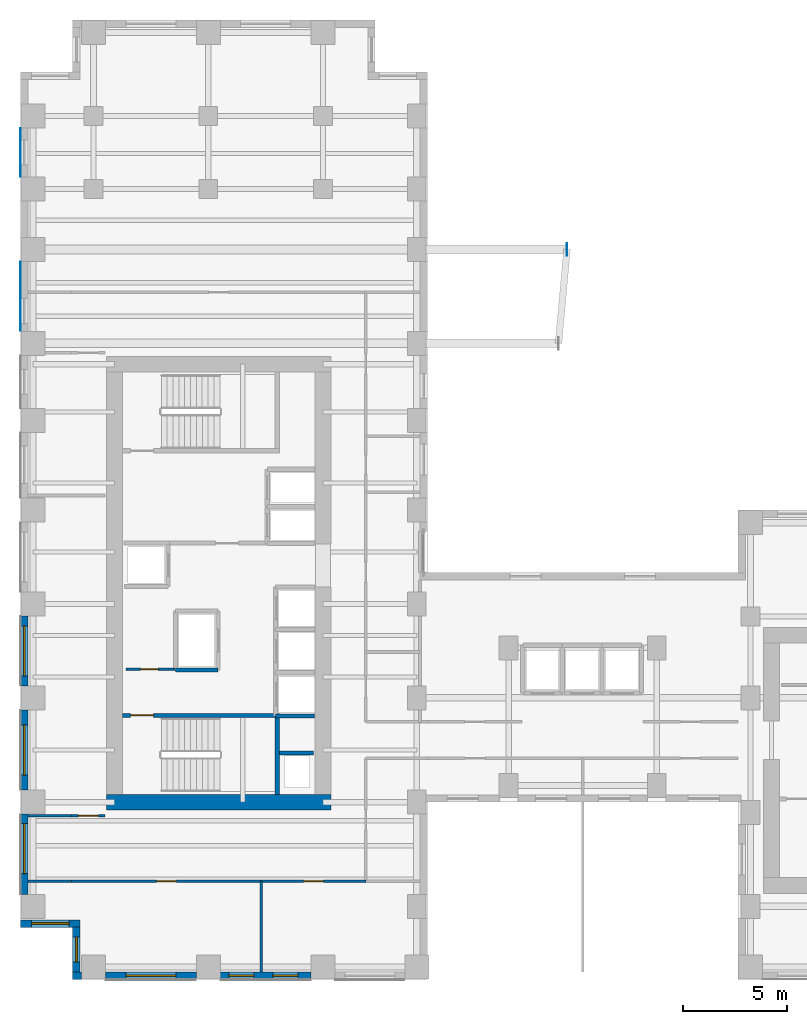
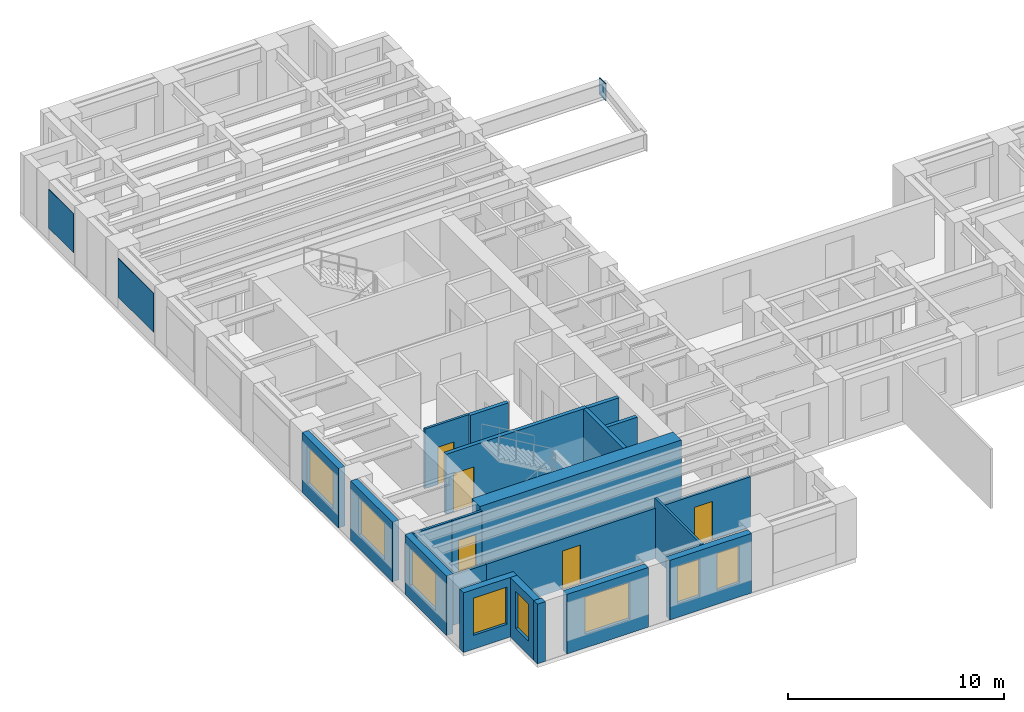
# One storey, part 6 of 14: 21 walls, 8 windows, 5 doors, 3 plates, 13 openings.
"""IFC4 building model written with IfcOpenShell, lengths in metres."""

from ifc_helpers import new_model, si_unit, direction, frame, frame_2d, origin, origin_2d, place, context, subcontext, project, spatial, rectangle, extrude, source, transform, mapped, material, layer, layer_set, type_object, element, fill, save


model = new_model("IFC4")

# Units and contexts
model_context = context("Model", 3, precision=1e-05, world=origin(), true_north=direction((0.0, 1.0)))
body_context = subcontext(model_context, "Body", "Model", "MODEL_VIEW")
ifc_project = project(units=[si_unit("LENGTHUNIT", "METRE"), si_unit("AREAUNIT", "SQUARE_METRE"), si_unit("VOLUMEUNIT", "CUBIC_METRE"), si_unit("PLANEANGLEUNIT", "RADIAN"), si_unit("MASSUNIT", "GRAM", prefix="KILO")], contexts=[model_context])

# Site, building, storey
site_placement = place(None, origin())
site = spatial("IfcSite", under=ifc_project, at=site_placement, CompositionType="ELEMENT")
building_placement = place(site_placement, origin())
building = spatial("IfcBuilding", under=site, at=building_placement, Name="Kharzan Plaza Tower", CompositionType="ELEMENT")
storey_placement = place(building_placement, frame((0.0, 0.0, 124.199951171875)))
storey = spatial("IfcBuildingStorey", under=building, at=storey_placement, Name="L33", CompositionType="ELEMENT", Elevation=124.199951171875)

# Plates
ifc_material_1 = material(Name="Steel S460", Category="steel")
ifc_layer_1 = layer(ifc_material_1, 0.0419921875)
ifc_layer_set_1 = layer_set([ifc_layer_1], Name="Steel S460")
plate_type_1 = type_object("IfcPlateType", Name="PLT-ZTN1", PredefinedType="USERDEFINED", material=ifc_layer_set_1)
shared_shape_1 = source(origin(), body_context, "Body", "SweptSolid", [
    extrude(rectangle(XDim=0.60009765625, YDim=0.0419921875, at=origin_2d()), origin(), (0.0, 0.0, 1.0), 0.949951171875),
])
plate_1_placement = place(storey_placement, frame((26.199951171875, 35.0, 2.4365234375), z_axis=(0.0, 0.0, 1.0), x_axis=(0.0, 1.0, 0.0)))
element("IfcPlate", 1, at=plate_1_placement, inside=storey, type_object=plate_type_1, Name="L33 Sky-Terrace Cantilever Tip Plate ZTN1", ObjectType="FLANGE_PLATE", PredefinedType="USERDEFINED", context=body_context, shape_type="MappedRepresentation", body=[
    mapped(shared_shape_1, transform((0.0, 0.0, 0.0), x_axis=(1.0, 0.0, 0.0), y_axis=(0.0, 1.0, 0.0), z_axis=(0.0, 0.0, 1.0))),
])
ifc_material_2 = material(Name="Perforated Bronze-Anodized Aluminium", Category="aluminium")
ifc_layer_2 = layer(ifc_material_2, 0.030029296875)
ifc_layer_set_2 = layer_set([ifc_layer_2], Name="Perforated Bronze-Anodized Aluminium")
plate_type_2 = type_object("IfcPlateType", Name="PLT-MASH-SCREEN", PredefinedType="SHEET", material=ifc_layer_set_2)
shared_shape_2 = source(origin(), body_context, "Body", "SweptSolid", [
    extrude(rectangle(XDim=2.31396484375, YDim=0.030029296875, at=origin_2d()), origin(), (0.0, 0.0, 1.0), 2.199951171875),
])
plate_2_placement = place(storey_placement, frame((-0.012939453125, 39.64990234375, 0.72998046875), z_axis=(0.0, 0.0, 1.0), x_axis=(0.0, -1.0, 0.0)))
element("IfcPlate", 2, at=plate_2_placement, inside=storey, type_object=plate_type_2, Name="L33 Perforated Mashrabiya Solar Screen", PredefinedType="SHEET", context=body_context, shape_type="MappedRepresentation", body=[
    mapped(shared_shape_2, transform((0.0, 0.0, 0.0), x_axis=(1.0, 0.0, 0.0), y_axis=(0.0, 1.0, 0.0), z_axis=(0.0, 0.0, 1.0))),
])
shared_shape_3 = source(origin(), body_context, "Body", "SweptSolid", [
    extrude(rectangle(XDim=3.31396484375, YDim=0.030029296875, at=origin_2d()), origin(), (0.0, 0.0, 1.0), 2.199951171875),
])
plate_3_placement = place(storey_placement, frame((-0.012939453125, 32.75, 0.72998046875), z_axis=(0.0, 0.0, 1.0), x_axis=(0.0, -1.0, 0.0)))
element("IfcPlate", 3, at=plate_3_placement, inside=storey, type_object=plate_type_2, Name="L33 Perforated Mashrabiya Solar Screen", PredefinedType="SHEET", context=body_context, shape_type="MappedRepresentation", body=[
    mapped(shared_shape_3, transform((0.0, 0.0, 0.0), x_axis=(1.0, 0.0, 0.0), y_axis=(0.0, 1.0, 0.0), z_axis=(0.0, 0.0, 1.0))),
])

# Wall, opening, window
ifc_material_3 = material(Name="Concrete C40/50", Category="concrete")
ifc_layer_3 = layer(ifc_material_3, 0.35009765625)
ifc_layer_set_3 = layer_set([ifc_layer_3], Name="Concrete C40/50")
wall_type_1 = type_object("IfcWallType", Name="WL-EXT-MAS-Z2", PredefinedType="SOLIDWALL", material=ifc_layer_set_3)
wall_1_placement = place(storey_placement, frame((0.175048828125, 17.427001953125, 0.0), z_axis=(0.0, 0.0, 1.0), x_axis=(0.0, -1.0, 0.0)))
wall_1 = element("IfcWall", 4, at=wall_1_placement, inside=storey, type_object=wall_type_1, Name="L33 Masonry-Frame Exterior Wall 23", PredefinedType="SOLIDWALL", context=body_context, shape_type="SweptSolid", body=[
    extrude(rectangle(XDim=3.35400390625, YDim=0.35009765625, at=frame_2d((1.677001953125, 0.0))), origin(), (0.0, 0.0, 1.0), 3.364990234375),
])
opening_1_placement = place(wall_1_placement, frame((0.47705078125, 0.0, 0.780029296875)))
opening_1 = element("IfcOpeningElement", 5, at=opening_1_placement, cuts=wall_1, Name="Opening W2", PredefinedType="OPENING", context=body_context, shape_type="SweptSolid", body=[
    extrude(rectangle(XDim=2.39990234375, YDim=2.10009765625, at=frame_2d((1.199951171875, 1.050048828125))), frame((0.0, 0.18505859375, 0.0), z_axis=(0.0, -1.0, 0.0), x_axis=(1.0, 0.0, 0.0)), (0.0, 0.0, 1.0), 0.3701171875),
])
ifc_material_4 = material(Name="Low-E Double Glazing", Category="glass")
window_type_1 = type_object("IfcWindowType", Name="WN-REC-2400x2100", PartitioningType="SINGLE_PANEL", PredefinedType="WINDOW", material=ifc_material_4)
shared_shape_4 = source(origin(), body_context, "Body", "SweptSolid", [
    extrude(rectangle(XDim=2.39990234375, YDim=2.10009765625, at=frame_2d((1.199951171875, 1.050048828125))), frame((0.0, 0.030029296875, 0.0), z_axis=(0.0, -1.0, 0.0), x_axis=(1.0, 0.0, 0.0)), (0.0, 0.0, 1.0), 0.06005859375),
])
window_1_placement = place(opening_1_placement, origin())
window_1 = element("IfcWindow", 6, at=window_1_placement, inside=storey, type_object=window_type_1, Name="L33 Wide Recessed Solar-Control Window 23-1", OverallHeight=2.10009765625, OverallWidth=2.39990234375, PartitioningType="SINGLE_PANEL", PredefinedType="WINDOW", context=body_context, shape_type="MappedRepresentation", body=[
    mapped(shared_shape_4, transform((0.0, 0.0, 0.0), x_axis=(1.0, 0.0, 0.0), y_axis=(0.0, 1.0, 0.0), z_axis=(0.0, 0.0, 1.0))),
])
fill(opening_1, window_1)

wall_2_placement = place(storey_placement, frame((0.175048828125, 12.927001953125, 0.0), z_axis=(0.0, 0.0, 1.0), x_axis=(0.0, -1.0, 0.0)))
wall_2 = element("IfcWall", 7, at=wall_2_placement, inside=storey, type_object=wall_type_1, Name="L33 Masonry-Frame Exterior Wall 24", PredefinedType="SOLIDWALL", context=body_context, shape_type="SweptSolid", body=[
    extrude(rectangle(XDim=3.85400390625, YDim=0.35009765625, at=frame_2d((1.927001953125, 0.0))), origin(), (0.0, 0.0, 1.0), 3.364990234375),
])
opening_2_placement = place(wall_2_placement, frame((0.72705078125, 0.0, 0.780029296875)))
opening_2 = element("IfcOpeningElement", 8, at=opening_2_placement, cuts=wall_2, Name="Opening W2", PredefinedType="OPENING", context=body_context, shape_type="SweptSolid", body=[
    extrude(rectangle(XDim=2.39990234375, YDim=2.10009765625, at=frame_2d((1.199951171875, 1.050048828125))), frame((0.0, 0.18505859375, 0.0), z_axis=(0.0, -1.0, 0.0), x_axis=(1.0, 0.0, 0.0)), (0.0, 0.0, 1.0), 0.3701171875),
])
window_2_placement = place(opening_2_placement, origin())
window_2 = element("IfcWindow", 9, at=window_2_placement, inside=storey, type_object=window_type_1, Name="L33 Wide Recessed Solar-Control Window 24-1", OverallHeight=2.10009765625, OverallWidth=2.39990234375, PartitioningType="SINGLE_PANEL", PredefinedType="WINDOW", context=body_context, shape_type="MappedRepresentation", body=[
    mapped(shared_shape_4, transform((0.0, 0.0, 0.0), x_axis=(1.0, 0.0, 0.0), y_axis=(0.0, 1.0, 0.0), z_axis=(0.0, 0.0, 1.0))),
])
fill(opening_2, window_2)

wall_3_placement = place(storey_placement, frame((0.175048828125, 7.927001953125, 0.0), z_axis=(0.0, 0.0, 1.0), x_axis=(0.0, -1.0, 0.0)))
wall_3 = element("IfcWall", 10, at=wall_3_placement, inside=storey, type_object=wall_type_1, Name="L33 Masonry-Frame Exterior Wall 25", PredefinedType="SOLIDWALL", context=body_context, shape_type="SweptSolid", body=[
    extrude(rectangle(XDim=3.85400390625, YDim=0.35009765625, at=frame_2d((1.927001953125, 0.0))), origin(), (0.0, 0.0, 1.0), 3.364990234375),
])
opening_3_placement = place(wall_3_placement, frame((0.451904296875, 0.0, 0.780029296875)))
opening_3 = element("IfcOpeningElement", 11, at=opening_3_placement, cuts=wall_3, Name="Opening W2", PredefinedType="OPENING", context=body_context, shape_type="SweptSolid", body=[
    extrude(rectangle(XDim=2.39990234375, YDim=2.10009765625, at=frame_2d((1.199951171875, 1.050048828125))), frame((0.0, 0.18505859375, 0.0), z_axis=(0.0, -1.0, 0.0), x_axis=(1.0, 0.0, 0.0)), (0.0, 0.0, 1.0), 0.3701171875),
])
window_3_placement = place(opening_3_placement, origin())
window_3 = element("IfcWindow", 12, at=window_3_placement, inside=storey, type_object=window_type_1, Name="L33 Wide Recessed Solar-Control Window 25-1", OverallHeight=2.10009765625, OverallWidth=2.39990234375, PartitioningType="SINGLE_PANEL", PredefinedType="WINDOW", context=body_context, shape_type="MappedRepresentation", body=[
    mapped(shared_shape_4, transform((0.0, 0.0, 0.0), x_axis=(1.0, 0.0, 0.0), y_axis=(0.0, 1.0, 0.0), z_axis=(0.0, 0.0, 1.0))),
])
fill(opening_3, window_3)

wall_4_placement = place(storey_placement, frame((0.0, 2.675048828125, 0.0), z_axis=(0.0, 0.0, 1.0), x_axis=(1.0, 0.0, 0.0)))
wall_4 = element("IfcWall", 13, at=wall_4_placement, inside=storey, type_object=wall_type_1, Name="L33 Masonry-Frame Exterior Wall 26", PredefinedType="SOLIDWALL", context=body_context, shape_type="SweptSolid", body=[
    extrude(rectangle(XDim=2.85009765625, YDim=0.35009765625, at=frame_2d((1.425048828125, 0.0))), origin(), (0.0, 0.0, 1.0), 3.364990234375),
])
opening_4_placement = place(wall_4_placement, frame((0.52490234375, 0.0, 0.780029296875)))
opening_4 = element("IfcOpeningElement", 14, at=opening_4_placement, cuts=wall_4, Name="Opening W1", PredefinedType="OPENING", context=body_context, shape_type="SweptSolid", body=[
    extrude(rectangle(XDim=1.800048828125, YDim=2.10009765625, at=frame_2d((0.89990234375, 1.050048828125))), frame((0.0, 0.18505859375, 0.0), z_axis=(0.0, -1.0, 0.0), x_axis=(1.0, 0.0, 0.0)), (0.0, 0.0, 1.0), 0.3701171875),
])
window_type_2 = type_object("IfcWindowType", Name="WN-REC-1800x2100", PartitioningType="SINGLE_PANEL", PredefinedType="WINDOW", material=ifc_material_4)
shared_shape_5 = source(origin(), body_context, "Body", "SweptSolid", [
    extrude(rectangle(XDim=1.800048828125, YDim=2.10009765625, at=frame_2d((0.89990234375, 1.050048828125))), frame((0.0, 0.030029296875, 0.0), z_axis=(0.0, -1.0, 0.0), x_axis=(1.0, 0.0, 0.0)), (0.0, 0.0, 1.0), 0.06005859375),
])
window_4_placement = place(opening_4_placement, origin())
window_4 = element("IfcWindow", 15, at=window_4_placement, inside=storey, type_object=window_type_2, Name="L33 Recessed Solar-Control Window 26-1", OverallHeight=2.10009765625, OverallWidth=1.800048828125, PartitioningType="SINGLE_PANEL", PredefinedType="WINDOW", context=body_context, shape_type="MappedRepresentation", body=[
    mapped(shared_shape_5, transform((0.0, 0.0, 0.0), x_axis=(1.0, 0.0, 0.0), y_axis=(0.0, 1.0, 0.0), z_axis=(0.0, 0.0, 1.0))),
])
fill(opening_4, window_4)

wall_5_placement = place(storey_placement, frame((2.675048828125, 2.501953125, 0.0), z_axis=(0.0, 0.0, 1.0), x_axis=(0.0, -1.0, 0.0)))
wall_5 = element("IfcWall", 16, at=wall_5_placement, inside=storey, type_object=wall_type_1, Name="L33 Masonry-Frame Exterior Wall 27", PredefinedType="SOLIDWALL", context=body_context, shape_type="SweptSolid", body=[
    extrude(rectangle(XDim=2.154052734375, YDim=0.35009765625, at=frame_2d((1.0771484375, 0.0))), origin(), (0.0, 0.0, 1.0), 3.364990234375),
])
opening_5_placement = place(wall_5_placement, frame((0.47705078125, 0.0, 0.780029296875)))
opening_5 = element("IfcOpeningElement", 17, at=opening_5_placement, cuts=wall_5, Name="Opening W3", PredefinedType="OPENING", context=body_context, shape_type="SweptSolid", body=[
    extrude(rectangle(XDim=1.199951171875, YDim=2.10009765625, at=frame_2d((0.60009765625, 1.050048828125))), frame((0.0, 0.18505859375, 0.0), z_axis=(0.0, -1.0, 0.0), x_axis=(1.0, 0.0, 0.0)), (0.0, 0.0, 1.0), 0.3701171875),
])
window_type_3 = type_object("IfcWindowType", Name="WN-REC-1200x2100", PartitioningType="SINGLE_PANEL", PredefinedType="WINDOW", material=ifc_material_4)
shared_shape_6 = source(origin(), body_context, "Body", "SweptSolid", [
    extrude(rectangle(XDim=1.199951171875, YDim=2.10009765625, at=frame_2d((0.60009765625, 1.050048828125))), frame((0.0, 0.030029296875, 0.0), z_axis=(0.0, -1.0, 0.0), x_axis=(1.0, 0.0, 0.0)), (0.0, 0.0, 1.0), 0.06005859375),
])
window_5_placement = place(opening_5_placement, origin())
window_5 = element("IfcWindow", 18, at=window_5_placement, inside=storey, type_object=window_type_3, Name="L33 Recessed Solar-Control Window 27-1", OverallHeight=2.10009765625, OverallWidth=1.199951171875, PartitioningType="SINGLE_PANEL", PredefinedType="WINDOW", context=body_context, shape_type="MappedRepresentation", body=[
    mapped(shared_shape_6, transform((0.0, 0.0, 0.0), x_axis=(1.0, 0.0, 0.0), y_axis=(0.0, 1.0, 0.0), z_axis=(0.0, 0.0, 1.0))),
])
fill(opening_5, window_5)

wall_6_placement = place(storey_placement, frame((4.072998046875, 0.175048828125, 0.0), z_axis=(0.0, 0.0, 1.0), x_axis=(1.0, 0.0, 0.0)))
wall_6 = element("IfcWall", 19, at=wall_6_placement, inside=storey, type_object=wall_type_1, Name="L33 Masonry-Frame Exterior Wall 29", PredefinedType="SOLIDWALL", context=body_context, shape_type="SweptSolid", body=[
    extrude(rectangle(XDim=4.35400390625, YDim=0.35009765625, at=frame_2d((2.177001953125, 0.0))), origin(), (0.0, 0.0, 1.0), 3.364990234375),
])
opening_6_placement = place(wall_6_placement, frame((0.97705078125, 0.0, 0.780029296875)))
opening_6 = element("IfcOpeningElement", 20, at=opening_6_placement, cuts=wall_6, Name="Opening W2", PredefinedType="OPENING", context=body_context, shape_type="SweptSolid", body=[
    extrude(rectangle(XDim=2.39990234375, YDim=2.10009765625, at=frame_2d((1.199951171875, 1.050048828125))), frame((0.0, 0.18505859375, 0.0), z_axis=(0.0, -1.0, 0.0), x_axis=(1.0, 0.0, 0.0)), (0.0, 0.0, 1.0), 0.3701171875),
])
window_6_placement = place(opening_6_placement, origin())
window_6 = element("IfcWindow", 21, at=window_6_placement, inside=storey, type_object=window_type_1, Name="L33 Wide Recessed Solar-Control Window 29-1", OverallHeight=2.10009765625, OverallWidth=2.39990234375, PartitioningType="SINGLE_PANEL", PredefinedType="WINDOW", context=body_context, shape_type="MappedRepresentation", body=[
    mapped(shared_shape_4, transform((0.0, 0.0, 0.0), x_axis=(1.0, 0.0, 0.0), y_axis=(0.0, 1.0, 0.0), z_axis=(0.0, 0.0, 1.0))),
])
fill(opening_6, window_6)

# Wall, openings, windows
wall_7_placement = place(storey_placement, frame((9.572998046875, 0.175048828125, 0.0), z_axis=(0.0, 0.0, 1.0), x_axis=(1.0, 0.0, 0.0)))
wall_7 = element("IfcWall", 22, at=wall_7_placement, inside=storey, type_object=wall_type_1, Name="L33 Masonry-Frame Exterior Wall 30", PredefinedType="SOLIDWALL", context=body_context, shape_type="SweptSolid", body=[
    extrude(rectangle(XDim=4.35400390625, YDim=0.35009765625, at=frame_2d((2.177001953125, 0.0))), origin(), (0.0, 0.0, 1.0), 3.364990234375),
])
opening_7_placement = place(wall_7_placement, frame((0.4169921875, 0.0, 0.780029296875)))
opening_7 = element("IfcOpeningElement", 23, at=opening_7_placement, cuts=wall_7, Name="Opening W3", PredefinedType="OPENING", context=body_context, shape_type="SweptSolid", body=[
    extrude(rectangle(XDim=1.199951171875, YDim=2.10009765625, at=frame_2d((0.60009765625, 1.050048828125))), frame((0.0, 0.18505859375, 0.0), z_axis=(0.0, -1.0, 0.0), x_axis=(1.0, 0.0, 0.0)), (0.0, 0.0, 1.0), 0.3701171875),
])
opening_8_placement = place(wall_7_placement, frame((2.52392578125, 0.0, 0.780029296875)))
opening_8 = element("IfcOpeningElement", 24, at=opening_8_placement, cuts=wall_7, Name="Opening W3", PredefinedType="OPENING", context=body_context, shape_type="SweptSolid", body=[
    extrude(rectangle(XDim=1.199951171875, YDim=2.10009765625, at=frame_2d((0.60009765625, 1.050048828125))), frame((0.0, 0.18505859375, 0.0), z_axis=(0.0, -1.0, 0.0), x_axis=(1.0, 0.0, 0.0)), (0.0, 0.0, 1.0), 0.3701171875),
])
window_7_placement = place(opening_7_placement, origin())
window_7 = element("IfcWindow", 25, at=window_7_placement, inside=storey, type_object=window_type_3, Name="L33 Recessed Solar-Control Window 30-1", OverallHeight=2.10009765625, OverallWidth=1.199951171875, PartitioningType="SINGLE_PANEL", PredefinedType="WINDOW", context=body_context, shape_type="MappedRepresentation", body=[
    mapped(shared_shape_6, transform((0.0, 0.0, 0.0), x_axis=(1.0, 0.0, 0.0), y_axis=(0.0, 1.0, 0.0), z_axis=(0.0, 0.0, 1.0))),
])
fill(opening_7, window_7)
window_8_placement = place(opening_8_placement, origin())
window_8 = element("IfcWindow", 26, at=window_8_placement, inside=storey, type_object=window_type_3, Name="L33 Recessed Solar-Control Window 30-2", OverallHeight=2.10009765625, OverallWidth=1.199951171875, PartitioningType="SINGLE_PANEL", PredefinedType="WINDOW", context=body_context, shape_type="MappedRepresentation", body=[
    mapped(shared_shape_6, transform((0.0, 0.0, 0.0), x_axis=(1.0, 0.0, 0.0), y_axis=(0.0, 1.0, 0.0), z_axis=(0.0, 0.0, 1.0))),
])
fill(opening_8, window_8)

# Wall, opening, door
ifc_material_5 = material(Name="Fire-Rated Gypsum Board Partition", Category="gypsum")
ifc_layer_4 = layer(ifc_material_5, 0.125)
ifc_layer_set_4 = layer_set([ifc_layer_4], Name="Fire-Rated Gypsum Board Partition")
wall_type_2 = type_object("IfcWallType", Name="WL-INT-PART-125", PredefinedType="PARTITIONING", material=ifc_layer_set_4)
wall_8_placement = place(storey_placement, frame((5.050048828125, 14.8798828125, 0.0), z_axis=(0.0, 0.0, 1.0), x_axis=(1.0, 0.0, 0.0)))
wall_8 = element("IfcWall", 27, at=wall_8_placement, inside=storey, type_object=wall_type_2, Name="L33 Interior Partition CA-K0", PredefinedType="PARTITIONING", context=body_context, shape_type="SweptSolid", body=[
    extrude(rectangle(XDim=2.349853515625, YDim=0.125, at=frame_2d((1.1748046875, 0.0))), origin(), (0.0, 0.0, 1.0), 3.364990234375),
])
opening_9_placement = place(wall_8_placement, frame((0.699951171875, 0.0, 0.0)))
opening_9 = element("IfcOpeningElement", 28, at=opening_9_placement, cuts=wall_8, Name="Opening RD1", PredefinedType="OPENING", context=body_context, shape_type="SweptSolid", body=[
    extrude(rectangle(XDim=0.85009765625, YDim=2.10009765625, at=frame_2d((0.425048828125, 1.050048828125))), frame((0.0, 0.072509765625, 0.0), z_axis=(0.0, -1.0, 0.0), x_axis=(1.0, 0.0, 0.0)), (0.0, 0.0, 1.0), 0.14501953125),
])
ifc_material_6 = material(Name="Powder-Coated Fire-Rated Steel", Category="steel")
door_type_1 = type_object("IfcDoorType", Name="DR-RISER-900", OperationType="NOTDEFINED", PredefinedType="DOOR", material=ifc_material_6)
shared_shape_7 = source(origin(), body_context, "Body", "SweptSolid", [
    extrude(rectangle(XDim=0.85009765625, YDim=2.10009765625, at=frame_2d((0.425048828125, 1.050048828125))), frame((0.0, 0.02490234375, 0.0), z_axis=(0.0, -1.0, 0.0), x_axis=(1.0, 0.0, 0.0)), (0.0, 0.0, 1.0), 0.050048828125),
])
door_1_placement = place(opening_9_placement, origin())
door_1 = element("IfcDoor", 29, at=door_1_placement, inside=storey, type_object=door_type_1, Name="L33 Cleaners Store Door", OperationType="SINGLE_SWING_LEFT", OverallHeight=2.10009765625, OverallWidth=0.85009765625, PredefinedType="DOOR", context=body_context, shape_type="MappedRepresentation", body=[
    mapped(shared_shape_7, transform((0.0, 0.0, 0.0), x_axis=(1.0, 0.0, 0.0), y_axis=(0.0, 1.0, 0.0), z_axis=(0.0, 0.0, 1.0))),
])
fill(opening_9, door_1)

wall_9_placement = place(storey_placement, frame((2.449951171875, 7.85009765625, 0.0), z_axis=(0.0, 0.0, 1.0), x_axis=(1.0, 0.0, 0.0)))
wall_9 = element("IfcWall", 30, at=wall_9_placement, inside=storey, type_object=wall_type_2, Name="L33 Interior Partition SH-RWSD", PredefinedType="PARTITIONING", context=body_context, shape_type="SweptSolid", body=[
    extrude(rectangle(XDim=1.60009765625, YDim=0.125, at=frame_2d((0.800048828125, 0.0))), origin(), (0.0, 0.0, 1.0), 3.364990234375),
])
opening_10_placement = place(wall_9_placement, frame((0.324951171875, 0.0, 0.0)))
opening_10 = element("IfcOpeningElement", 31, at=opening_10_placement, cuts=wall_9, Name="Opening OD1", PredefinedType="OPENING", context=body_context, shape_type="SweptSolid", body=[
    extrude(rectangle(XDim=0.949951171875, YDim=2.14990234375, at=frame_2d((0.47509765625, 1.074951171875))), frame((0.0, 0.072509765625, 0.0), z_axis=(0.0, -1.0, 0.0), x_axis=(1.0, 0.0, 0.0)), (0.0, 0.0, 1.0), 0.14501953125),
])
ifc_material_7 = material(Name="Acoustic Solid-Core Stained Oak", Category="timber")
door_type_2 = type_object("IfcDoorType", Name="DR-OFF-SINGLE", OperationType="NOTDEFINED", PredefinedType="DOOR", material=ifc_material_7)
shared_shape_8 = source(origin(), body_context, "Body", "SweptSolid", [
    extrude(rectangle(XDim=0.949951171875, YDim=2.14990234375, at=frame_2d((0.47509765625, 1.074951171875))), frame((0.0, 0.02490234375, 0.0), z_axis=(0.0, -1.0, 0.0), x_axis=(1.0, 0.0, 0.0)), (0.0, 0.0, 1.0), 0.050048828125),
])
door_2_placement = place(opening_10_placement, origin())
door_2 = element("IfcDoor", 32, at=door_2_placement, inside=storey, type_object=door_type_2, Name="L33 West Office 1 Door", OperationType="SINGLE_SWING_RIGHT", OverallHeight=2.14990234375, OverallWidth=0.949951171875, PredefinedType="DOOR", context=body_context, shape_type="MappedRepresentation", body=[
    mapped(shared_shape_8, transform((0.0, 0.0, 0.0), x_axis=(1.0, 0.0, 0.0), y_axis=(0.0, 1.0, 0.0), z_axis=(0.0, 0.0, 1.0))),
])
fill(opening_10, door_2)

wall_10_placement = place(storey_placement, frame((2.449951171875, 4.699951171875, 0.0), z_axis=(0.0, 0.0, 1.0), x_axis=(1.0, 0.0, 0.0)))
wall_10 = element("IfcWall", 33, at=wall_10_placement, inside=storey, type_object=wall_type_2, Name="L33 Interior Partition SH-SS-1", PredefinedType="PARTITIONING", context=body_context, shape_type="SweptSolid", body=[
    extrude(rectangle(XDim=9.087158203125, YDim=0.125, at=frame_2d((4.54345703125, 0.0))), origin(), (0.0, 0.0, 1.0), 2.828125),
])
opening_11_placement = place(wall_10_placement, frame((4.068603515625, 0.0, 0.0)))
opening_11 = element("IfcOpeningElement", 34, at=opening_11_placement, cuts=wall_10, Name="Opening OD1", PredefinedType="OPENING", context=body_context, shape_type="SweptSolid", body=[
    extrude(rectangle(XDim=0.949951171875, YDim=2.14990234375, at=frame_2d((0.47509765625, 1.074951171875))), frame((0.0, 0.072509765625, 0.0), z_axis=(0.0, -1.0, 0.0), x_axis=(1.0, 0.0, 0.0)), (0.0, 0.0, 1.0), 0.14501953125),
])
door_3_placement = place(opening_11_placement, origin())
door_3 = element("IfcDoor", 35, at=door_3_placement, inside=storey, type_object=door_type_2, Name="L33 Executive Conference Room Door", OperationType="SINGLE_SWING_RIGHT", OverallHeight=2.14990234375, OverallWidth=0.949951171875, PredefinedType="DOOR", context=body_context, shape_type="MappedRepresentation", body=[
    mapped(shared_shape_8, transform((0.0, 0.0, 0.0), x_axis=(1.0, 0.0, 0.0), y_axis=(0.0, 1.0, 0.0), z_axis=(0.0, 0.0, 1.0))),
])
fill(opening_11, door_3)

wall_11_placement = place(storey_placement, frame((11.537109375, 4.699951171875, 0.0), z_axis=(0.0, 0.0, 1.0), x_axis=(1.0, 0.0, 0.0)))
wall_11 = element("IfcWall", 36, at=wall_11_placement, inside=storey, type_object=wall_type_2, Name="L33 Interior Partition SH-SS-2", PredefinedType="PARTITIONING", context=body_context, shape_type="SweptSolid", body=[
    extrude(rectangle(XDim=5.012939453125, YDim=0.125, at=frame_2d((2.50634765625, 0.0))), origin(), (0.0, 0.0, 1.0), 2.828125),
])
opening_12_placement = place(wall_11_placement, frame((2.031494140625, 0.0, 0.0)))
opening_12 = element("IfcOpeningElement", 37, at=opening_12_placement, cuts=wall_11, Name="Opening OD1", PredefinedType="OPENING", context=body_context, shape_type="SweptSolid", body=[
    extrude(rectangle(XDim=0.949951171875, YDim=2.14990234375, at=frame_2d((0.47509765625, 1.074951171875))), frame((0.0, 0.072509765625, 0.0), z_axis=(0.0, -1.0, 0.0), x_axis=(1.0, 0.0, 0.0)), (0.0, 0.0, 1.0), 0.14501953125),
])
door_4_placement = place(opening_12_placement, origin())
door_4 = element("IfcDoor", 38, at=door_4_placement, inside=storey, type_object=door_type_2, Name="L33 Client Advisory Meeting Room Door", OperationType="SINGLE_SWING_LEFT", OverallHeight=2.14990234375, OverallWidth=0.949951171875, PredefinedType="DOOR", context=body_context, shape_type="MappedRepresentation", body=[
    mapped(shared_shape_8, transform((0.0, 0.0, 0.0), x_axis=(1.0, 0.0, 0.0), y_axis=(0.0, 1.0, 0.0), z_axis=(0.0, 0.0, 1.0))),
])
fill(opening_12, door_4)

ifc_material_8 = material(Name="Concrete C50/60", Category="concrete")
ifc_layer_5 = layer(ifc_material_8, 0.199951171875)
ifc_layer_set_5 = layer_set([ifc_layer_5], Name="Concrete C50/60")
wall_type_3 = type_object("IfcWallType", Name="WL-SHAFT-RC200", PredefinedType="SHEAR", material=ifc_layer_set_5)
wall_12_placement = place(storey_placement, frame((4.876953125, 12.655029296875, 0.0), z_axis=(0.0, 0.0, 1.0), x_axis=(1.0, 0.0, 0.0)))
wall_12 = element("IfcWall", 39, at=wall_12_placement, inside=storey, type_object=wall_type_3, Name="L33 Stair ST-1 North RC Shaft Wall", PredefinedType="SHEAR", context=body_context, shape_type="SweptSolid", body=[
    extrude(rectangle(XDim=7.528076171875, YDim=0.199951171875, at=frame_2d((3.76416015625, 0.0))), origin(), (0.0, 0.0, 1.0), 3.380126953125),
])
opening_13_placement = place(wall_12_placement, frame((0.39990234375, 0.0, 0.0)))
opening_13 = element("IfcOpeningElement", 40, at=opening_13_placement, cuts=wall_12, Name="Opening SD1", PredefinedType="OPENING", context=body_context, shape_type="SweptSolid", body=[
    extrude(rectangle(XDim=1.10009765625, YDim=2.14990234375, at=frame_2d((0.550048828125, 1.074951171875))), frame((0.0, 0.10986328125, 0.0), z_axis=(0.0, -1.0, 0.0), x_axis=(1.0, 0.0, 0.0)), (0.0, 0.0, 1.0), 0.219970703125),
])
ifc_material_9 = material(Name="Fire-Rated Hollow Galvanized Steel", Category="steel")
door_type_3 = type_object("IfcDoorType", Name="DR-STAIR-FD120", OperationType="NOTDEFINED", PredefinedType="DOOR", material=ifc_material_9)
shared_shape_9 = source(origin(), body_context, "Body", "SweptSolid", [
    extrude(rectangle(XDim=1.10009765625, YDim=2.14990234375, at=frame_2d((0.550048828125, 1.074951171875))), frame((0.0, 0.02490234375, 0.0), z_axis=(0.0, -1.0, 0.0), x_axis=(1.0, 0.0, 0.0)), (0.0, 0.0, 1.0), 0.050048828125),
])
door_5_placement = place(opening_13_placement, origin())
door_5 = element("IfcDoor", 41, at=door_5_placement, inside=storey, type_object=door_type_3, Name="L33 Stair ST-1 Fire Exit Door", OperationType="SINGLE_SWING_RIGHT", OverallHeight=2.14990234375, OverallWidth=1.10009765625, PredefinedType="DOOR", context=body_context, shape_type="MappedRepresentation", body=[
    mapped(shared_shape_9, transform((0.0, 0.0, 0.0), x_axis=(1.0, 0.0, 0.0), y_axis=(0.0, 1.0, 0.0), z_axis=(0.0, 0.0, 1.0))),
])
fill(opening_13, door_5)

# Walls
ifc_layer_6 = layer(ifc_material_3, 0.199951171875)
ifc_layer_set_6 = layer_set([ifc_layer_6], Name="Concrete C40/50")
wall_type_4 = type_object("IfcWallType", Name="WL-INT-SHAFT-200", PredefinedType="PARTITIONING", material=ifc_layer_set_6)
shared_shape_10 = source(origin(), body_context, "Body", "SweptSolid", [
    extrude(rectangle(XDim=2.0400390625, YDim=0.199951171875, at=frame_2d((1.02001953125, 0.0))), origin(), (0.0, 0.0, 1.0), 3.364990234375),
])
wall_13_placement = place(storey_placement, frame((7.429931640625, 14.830078125, 0.0), z_axis=(0.0, 0.0, 1.0), x_axis=(1.0, 0.0, 0.0)))
element("IfcWall", 42, at=wall_13_placement, inside=storey, type_object=wall_type_4, Name="L33 Interior Partition SHF-SVL-1-S", PredefinedType="PARTITIONING", context=body_context, shape_type="MappedRepresentation", body=[
    mapped(shared_shape_10, transform((0.0, 0.0, 0.0), x_axis=(1.0, 0.0, 0.0), y_axis=(0.0, 1.0, 0.0), z_axis=(0.0, 0.0, 1.0))),
])
shared_shape_11 = source(origin(), body_context, "Body", "SweptSolid", [
    extrude(rectangle(XDim=2.097900390625, YDim=0.125, at=frame_2d((1.048828125, 0.0))), origin(), (0.0, 0.0, 1.0), 3.364990234375),
])
wall_14_placement = place(storey_placement, frame((0.35205078125, 7.85009765625, 0.0), z_axis=(0.0, 0.0, 1.0), x_axis=(1.0, 0.0, 0.0)))
element("IfcWall", 43, at=wall_14_placement, inside=storey, type_object=wall_type_2, Name="L33 Interior Partition SH-RWS0", PredefinedType="PARTITIONING", context=body_context, shape_type="MappedRepresentation", body=[
    mapped(shared_shape_11, transform((0.0, 0.0, 0.0), x_axis=(1.0, 0.0, 0.0), y_axis=(0.0, 1.0, 0.0), z_axis=(0.0, 0.0, 1.0))),
])
shared_shape_12 = source(origin(), body_context, "Body", "SweptSolid", [
    extrude(rectangle(XDim=2.097900390625, YDim=0.125, at=frame_2d((1.048828125, 0.0))), origin(), (0.0, 0.0, 1.0), 2.828125),
])
wall_15_placement = place(storey_placement, frame((0.35205078125, 4.699951171875, 0.0), z_axis=(0.0, 0.0, 1.0), x_axis=(1.0, 0.0, 0.0)))
element("IfcWall", 44, at=wall_15_placement, inside=storey, type_object=wall_type_2, Name="L33 Interior Partition SH-SS-EXT", PredefinedType="PARTITIONING", context=body_context, shape_type="MappedRepresentation", body=[
    mapped(shared_shape_12, transform((0.0, 0.0, 0.0), x_axis=(1.0, 0.0, 0.0), y_axis=(0.0, 1.0, 0.0), z_axis=(0.0, 0.0, 1.0))),
])
ifc_material_10 = material(Name="Concrete C60/75", Category="concrete")
ifc_layer_7 = layer(ifc_material_10, 0.75)
ifc_layer_set_7 = layer_set([ifc_layer_7], Name="Concrete C60/75")
wall_type_5 = type_object("IfcWallType", Name="WL-CORE-750", PredefinedType="SHEAR", material=ifc_layer_set_7)
shared_shape_13 = source(origin(), body_context, "Body", "SweptSolid", [
    extrude(rectangle(XDim=10.75, YDim=0.75, at=frame_2d((5.375, 0.0))), origin(), (0.0, 0.0, 1.0), 3.380126953125),
])
wall_16_placement = place(storey_placement, frame((4.125, 8.5, 0.0), z_axis=(0.0, 0.0, 1.0), x_axis=(1.0, 0.0, 0.0)))
element("IfcWall", 45, at=wall_16_placement, inside=storey, type_object=wall_type_5, Name="L33 CORE-A south RC shear wall", PredefinedType="SHEAR", context=body_context, shape_type="MappedRepresentation", body=[
    mapped(shared_shape_13, transform((0.0, 0.0, 0.0), x_axis=(1.0, 0.0, 0.0), y_axis=(0.0, 1.0, 0.0), z_axis=(0.0, 0.0, 1.0))),
])
shared_shape_14 = source(origin(), body_context, "Body", "SweptSolid", [
    extrude(rectangle(XDim=0.427001953125, YDim=0.35009765625, at=frame_2d((0.21337890625, 0.0))), origin(), (0.0, 0.0, 1.0), 3.364990234375),
])
wall_17_placement = place(storey_placement, frame((2.5, 0.175048828125, 0.0), z_axis=(0.0, 0.0, 1.0), x_axis=(1.0, 0.0, 0.0)))
element("IfcWall", 46, at=wall_17_placement, inside=storey, type_object=wall_type_1, Name="L33 Masonry-Frame Exterior Wall 28", PredefinedType="SOLIDWALL", context=body_context, shape_type="MappedRepresentation", body=[
    mapped(shared_shape_14, transform((0.0, 0.0, 0.0), x_axis=(1.0, 0.0, 0.0), y_axis=(0.0, 1.0, 0.0), z_axis=(0.0, 0.0, 1.0))),
])
shared_shape_15 = source(origin(), body_context, "Body", "SweptSolid", [
    extrude(rectangle(XDim=1.630126953125, YDim=0.199951171875, at=frame_2d((0.81494140625, 0.0))), origin(), (0.0, 0.0, 1.0), 3.364990234375),
])
wall_18_placement = place(storey_placement, frame((12.419921875, 10.85009765625, 0.0), z_axis=(0.0, 0.0, 1.0), x_axis=(1.0, 0.0, 0.0)))
element("IfcWall", 47, at=wall_18_placement, inside=storey, type_object=wall_type_4, Name="L33 Interior Partition CA-RSRA-N", PredefinedType="PARTITIONING", context=body_context, shape_type="MappedRepresentation", body=[
    mapped(shared_shape_15, transform((0.0, 0.0, 0.0), x_axis=(1.0, 0.0, 0.0), y_axis=(0.0, 1.0, 0.0), z_axis=(0.0, 0.0, 1.0))),
])
shared_shape_16 = source(origin(), body_context, "Body", "SweptSolid", [
    extrude(rectangle(XDim=1.864990234375, YDim=0.199951171875, at=frame_2d((0.9326171875, 0.0))), origin(), (0.0, 0.0, 1.0), 3.364990234375),
])
wall_19_placement = place(storey_placement, frame((12.22998046875, 12.6298828125, 0.0), z_axis=(0.0, 0.0, 1.0), x_axis=(1.0, 0.0, 0.0)))
element("IfcWall", 48, at=wall_19_placement, inside=storey, type_object=wall_type_4, Name="L33 Interior Partition SHF-PL-H1-S", PredefinedType="PARTITIONING", context=body_context, shape_type="MappedRepresentation", body=[
    mapped(shared_shape_16, transform((0.0, 0.0, 0.0), x_axis=(1.0, 0.0, 0.0), y_axis=(0.0, 1.0, 0.0), z_axis=(0.0, 0.0, 1.0))),
])
shared_shape_17 = source(origin(), body_context, "Body", "SweptSolid", [
    extrude(rectangle(XDim=3.677978515625, YDim=0.199951171875, at=frame_2d((1.8388671875, 0.0))), origin(), (0.0, 0.0, 1.0), 3.380126953125),
])
wall_20_placement = place(storey_placement, frame((12.304931640625, 8.876953125, 0.0), z_axis=(0.0, 0.0, 1.0), x_axis=(0.0, 1.0, 0.0)))
element("IfcWall", 49, at=wall_20_placement, inside=storey, type_object=wall_type_3, Name="L33 Stair ST-1 East RC Shaft Wall", PredefinedType="SHEAR", context=body_context, shape_type="MappedRepresentation", body=[
    mapped(shared_shape_17, transform((0.0, 0.0, 0.0), x_axis=(1.0, 0.0, 0.0), y_axis=(0.0, 1.0, 0.0), z_axis=(0.0, 0.0, 1.0))),
])
shared_shape_18 = source(origin(), body_context, "Body", "SweptSolid", [
    extrude(rectangle(XDim=4.347900390625, YDim=0.125, at=frame_2d((2.173828125, 0.0))), origin(), (0.0, 0.0, 1.0), 3.364990234375),
])
wall_21_placement = place(storey_placement, frame((11.537109375, 0.35205078125, 0.0), z_axis=(0.0, 0.0, 1.0), x_axis=(0.0, 1.0, 0.0)))
element("IfcWall", 50, at=wall_21_placement, inside=storey, type_object=wall_type_2, Name="L33 Interior Partition SH-SV-1", PredefinedType="PARTITIONING", context=body_context, shape_type="MappedRepresentation", body=[
    mapped(shared_shape_18, transform((0.0, 0.0, 0.0), x_axis=(1.0, 0.0, 0.0), y_axis=(0.0, 1.0, 0.0), z_axis=(0.0, 0.0, 1.0))),
])

save(model, "model.ifc")
